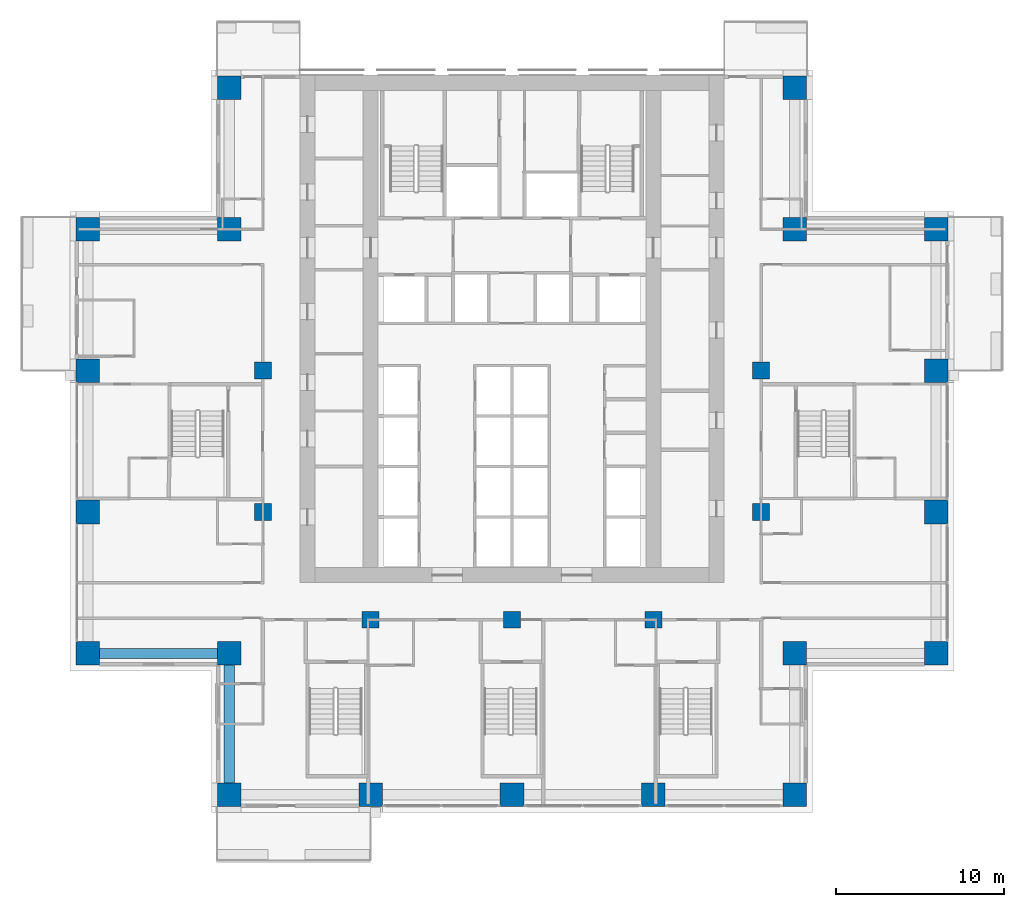
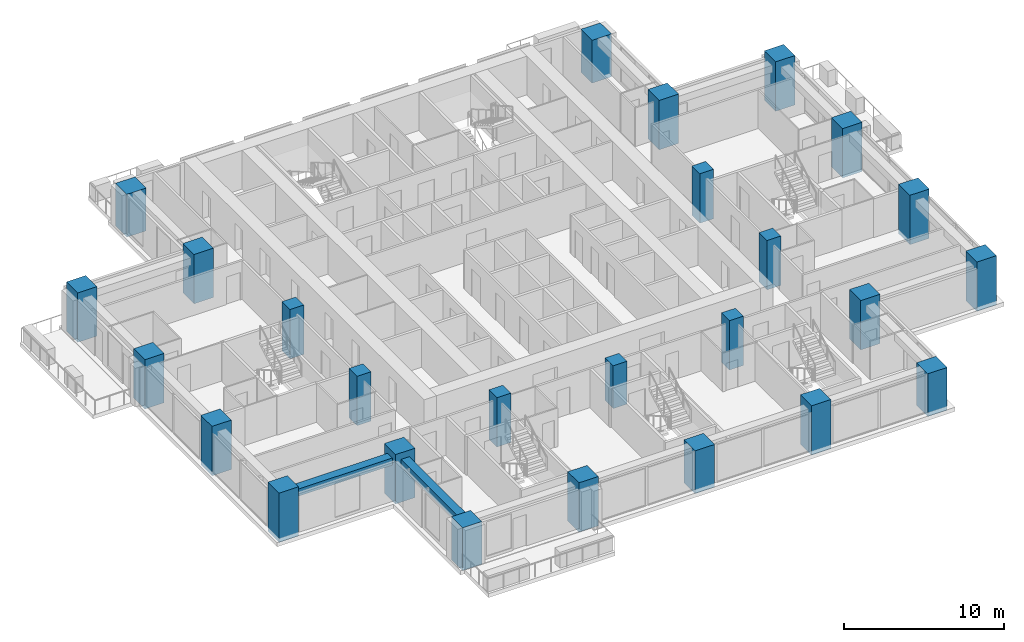
# One storey, part 1 of 16: 26 columns, 2 beams.
"""IFC4 building model written with IfcOpenShell, lengths in metres."""

from ifc_helpers import new_model, si_unit, direction, frame, origin, origin_2d, place, context, subcontext, project, spatial, rectangle, extrude, material, material_profile, profile_set, type_object, element, save


model = new_model("IFC4")

# Units and contexts
model_context = context("Model", 3, precision=1e-05, world=origin(), true_north=direction((0.0, 1.0)))
body_context = subcontext(model_context, "Body", "Model", "MODEL_VIEW")
ifc_project = project(units=[si_unit("LENGTHUNIT", "METRE"), si_unit("AREAUNIT", "SQUARE_METRE"), si_unit("VOLUMEUNIT", "CUBIC_METRE"), si_unit("PLANEANGLEUNIT", "RADIAN"), si_unit("MASSUNIT", "GRAM", prefix="KILO")], contexts=[model_context])

# Site, building, storey
site_placement = place(None, origin())
site = spatial("IfcSite", under=ifc_project, at=site_placement, CompositionType="ELEMENT")
building_placement = place(site_placement, origin())
building = spatial("IfcBuilding", under=site, at=building_placement, Name="Vermilion Ogive Tower", CompositionType="ELEMENT")
storey_placement = place(building_placement, frame((0.0, 0.0, 72.449951171875)))
storey = spatial("IfcBuildingStorey", under=building, at=storey_placement, Name="L17", CompositionType="ELEMENT", Elevation=72.449951171875)

# Columns
ifc_material_1 = material(Name="Concrete B80", Category="concrete")
ifc_material_profile_1 = material_profile(ifc_material_1, rectangle(XDim=1.39990234375, YDim=1.39990234375, at=origin_2d()), Name="1400 x 1400")
ifc_profile_set_1 = profile_set([ifc_material_profile_1], Name="Concrete B80")
column_type_1 = type_object("IfcColumnType", Name="Perimeter column 1400 x 1400 B80", PredefinedType="COLUMN", material=ifc_profile_set_1)
column_1_placement = place(storey_placement, frame((-16.800048828125, -21.0, -0.320068359375), z_axis=(0.0, 0.0, 1.0), x_axis=(1.0, 0.0, 0.0)))
element("IfcColumn", 1, at=column_1_placement, inside=storey, type_object=column_type_1, Name="COL-L17-P-0168-210", PredefinedType="COLUMN", context=body_context, shape_type="SweptSolid", body=[
    extrude(rectangle(XDim=1.39990234375, YDim=1.39990234375, at=origin_2d()), origin(), (0.0, 0.0, 1.0), 3.27001953125),
])
column_2_placement = place(storey_placement, frame((-8.39990234375, -21.0, -0.320068359375), z_axis=(0.0, 0.0, 1.0), x_axis=(1.0, 0.0, 0.0)))
element("IfcColumn", 2, at=column_2_placement, inside=storey, type_object=column_type_1, Name="COL-L17-P-0084-210", PredefinedType="COLUMN", context=body_context, shape_type="SweptSolid", body=[
    extrude(rectangle(XDim=1.39990234375, YDim=1.39990234375, at=origin_2d()), origin(), (0.0, 0.0, 1.0), 3.77001953125),
])
column_3_placement = place(storey_placement, frame((0.0, -21.0, -0.320068359375), z_axis=(0.0, 0.0, 1.0), x_axis=(1.0, 0.0, 0.0)))
element("IfcColumn", 3, at=column_3_placement, inside=storey, type_object=column_type_1, Name="COL-L17-P+0000-210", PredefinedType="COLUMN", context=body_context, shape_type="SweptSolid", body=[
    extrude(rectangle(XDim=1.39990234375, YDim=1.39990234375, at=origin_2d()), origin(), (0.0, 0.0, 1.0), 3.27001953125),
])
column_4_placement = place(storey_placement, frame((8.39990234375, -21.0, -0.320068359375), z_axis=(0.0, 0.0, 1.0), x_axis=(1.0, 0.0, 0.0)))
element("IfcColumn", 4, at=column_4_placement, inside=storey, type_object=column_type_1, Name="COL-L17-P+0084-210", PredefinedType="COLUMN", context=body_context, shape_type="SweptSolid", body=[
    extrude(rectangle(XDim=1.39990234375, YDim=1.39990234375, at=origin_2d()), origin(), (0.0, 0.0, 1.0), 3.77001953125),
])
column_5_placement = place(storey_placement, frame((16.800048828125, -21.0, -0.320068359375), z_axis=(0.0, 0.0, 1.0), x_axis=(1.0, 0.0, 0.0)))
element("IfcColumn", 5, at=column_5_placement, inside=storey, type_object=column_type_1, Name="COL-L17-P+0168-210", PredefinedType="COLUMN", context=body_context, shape_type="SweptSolid", body=[
    extrude(rectangle(XDim=1.39990234375, YDim=1.39990234375, at=origin_2d()), origin(), (0.0, 0.0, 1.0), 3.27001953125),
])
for number, where, z_axis, x_axis, name in (
    (6, (-25.199951171875, -12.60009765625, -0.320068359375), (0.0, 0.0, 1.0), (1.0, 0.0, 0.0), "COL-L17-P-0252-126"),
    (7, (-16.800048828125, -12.60009765625, -0.320068359375), (0.0, 0.0, 1.0), (1.0, 0.0, 0.0), "COL-L17-P-0168-126"),
    (8, (16.800048828125, -12.60009765625, -0.320068359375), (0.0, 0.0, 1.0), (1.0, 0.0, 0.0), "COL-L17-P+0168-126"),
    (9, (25.199951171875, -12.60009765625, -0.320068359375), (0.0, 0.0, 1.0), (1.0, 0.0, 0.0), "COL-L17-P+0252-126"),
    (10, (-25.199951171875, -4.199951171875, -0.320068359375), (0.0, 0.0, 1.0), (1.0, 0.0, 0.0), "COL-L17-P-0252-042"),
    (11, (25.199951171875, -4.199951171875, -0.320068359375), (0.0, 0.0, 1.0), (1.0, 0.0, 0.0), "COL-L17-P+0252-042"),
    (12, (-25.199951171875, 4.199951171875, -0.320068359375), (0.0, 0.0, 1.0), (1.0, 0.0, 0.0), "COL-L17-P-0252+042"),
    (13, (25.199951171875, 4.199951171875, -0.320068359375), (0.0, 0.0, 1.0), (1.0, 0.0, 0.0), "COL-L17-P+0252+042"),
    (14, (-25.199951171875, 12.60009765625, -0.320068359375), (0.0, 0.0, 1.0), (1.0, 0.0, 0.0), "COL-L17-P-0252+126"),
    (15, (-16.800048828125, 12.60009765625, -0.320068359375), (0.0, 0.0, 1.0), (1.0, 0.0, 0.0), "COL-L17-P-0168+126"),
    (16, (16.800048828125, 12.60009765625, -0.320068359375), (0.0, 0.0, 1.0), (1.0, 0.0, 0.0), "COL-L17-P+0168+126"),
    (17, (25.199951171875, 12.60009765625, -0.320068359375), (0.0, 0.0, 1.0), (1.0, 0.0, 0.0), "COL-L17-P+0252+126"),
):
    element("IfcColumn", number, at=place(storey_placement, frame(where, z_axis=z_axis, x_axis=x_axis)), inside=storey, type_object=column_type_1, Name=name, PredefinedType="COLUMN", context=body_context, shape_type="SweptSolid", body=[
        extrude(rectangle(XDim=1.39990234375, YDim=1.39990234375, at=origin_2d()), origin(), (0.0, 0.0, 1.0), 3.77001953125),
    ])
for number, where, z_axis, x_axis, name in (
    (18, (-16.800048828125, 21.0, -0.320068359375), (0.0, 0.0, 1.0), (1.0, 0.0, 0.0), "COL-L17-P-0168+210"),
    (19, (16.800048828125, 21.0, -0.320068359375), (0.0, 0.0, 1.0), (1.0, 0.0, 0.0), "COL-L17-P+0168+210"),
):
    element("IfcColumn", number, at=place(storey_placement, frame(where, z_axis=z_axis, x_axis=x_axis)), inside=storey, type_object=column_type_1, Name=name, PredefinedType="COLUMN", context=body_context, shape_type="SweptSolid", body=[
        extrude(rectangle(XDim=1.39990234375, YDim=1.39990234375, at=origin_2d()), origin(), (0.0, 0.0, 1.0), 3.27001953125),
    ])
ifc_material_2 = material(Name="Concrete B80", Category="concrete")
ifc_material_profile_2 = material_profile(ifc_material_2, rectangle(XDim=1.0, YDim=1.0, at=origin_2d()), Name="1000 x 1000")
ifc_profile_set_2 = profile_set([ifc_material_profile_2], Name="Concrete B80")
column_type_2 = type_object("IfcColumnType", Name="Ring column 1000 x 1000 B80", PredefinedType="COLUMN", material=ifc_profile_set_2)
column_6_placement = place(storey_placement, frame((-8.39990234375, -10.60009765625, -0.320068359375), z_axis=(0.0, 0.0, 1.0), x_axis=(1.0, 0.0, 0.0)))
element("IfcColumn", 20, at=column_6_placement, inside=storey, type_object=column_type_2, Name="COL-L17-R-0084-106", PredefinedType="COLUMN", context=body_context, shape_type="SweptSolid", body=[
    extrude(rectangle(XDim=1.0, YDim=1.0, at=origin_2d()), origin(), (0.0, 0.0, 1.0), 3.77001953125),
])
column_7_placement = place(storey_placement, frame((0.0, -10.60009765625, -0.320068359375), z_axis=(0.0, 0.0, 1.0), x_axis=(1.0, 0.0, 0.0)))
element("IfcColumn", 21, at=column_7_placement, inside=storey, type_object=column_type_2, Name="COL-L17-R+0000-106", PredefinedType="COLUMN", context=body_context, shape_type="SweptSolid", body=[
    extrude(rectangle(XDim=1.0, YDim=1.0, at=origin_2d()), origin(), (0.0, 0.0, 1.0), 3.27001953125),
])
for number, where, z_axis, x_axis, name in (
    (22, (8.39990234375, -10.60009765625, -0.320068359375), (0.0, 0.0, 1.0), (1.0, 0.0, 0.0), "COL-L17-R+0084-106"),
    (23, (-14.800048828125, -4.199951171875, -0.320068359375), (0.0, 0.0, 1.0), (1.0, 0.0, 0.0), "COL-L17-R-0148-042"),
    (24, (14.800048828125, -4.199951171875, -0.320068359375), (0.0, 0.0, 1.0), (1.0, 0.0, 0.0), "COL-L17-R+0148-042"),
    (25, (-14.800048828125, 4.199951171875, -0.320068359375), (0.0, 0.0, 1.0), (1.0, 0.0, 0.0), "COL-L17-R-0148+042"),
    (26, (14.800048828125, 4.199951171875, -0.320068359375), (0.0, 0.0, 1.0), (1.0, 0.0, 0.0), "COL-L17-R+0148+042"),
):
    element("IfcColumn", number, at=place(storey_placement, frame(where, z_axis=z_axis, x_axis=x_axis)), inside=storey, type_object=column_type_2, Name=name, PredefinedType="COLUMN", context=body_context, shape_type="SweptSolid", body=[
        extrude(rectangle(XDim=1.0, YDim=1.0, at=origin_2d()), origin(), (0.0, 0.0, 1.0), 3.77001953125),
    ])

# Beams
ifc_material_3 = material(Name="Concrete B45", Category="concrete")
ifc_material_profile_3 = material_profile(ifc_material_3, rectangle(XDim=0.60009765625, YDim=0.550048828125, at=origin_2d()), Name="600 x 550")
ifc_profile_set_3 = profile_set([ifc_material_profile_3], Name="Concrete B45")
beam_type = type_object("IfcBeamType", Name="Edge beam 600 x 550 B45", PredefinedType="BEAM", material=ifc_profile_set_3)
for number, where, z_axis, x_axis, name in (
    (27, (-24.5, -12.60009765625, 2.675048828125), (1.0, 0.0, 0.0), (0.0, 1.0, 0.0), "L17-EB-17"),
    (28, (-16.800048828125, -13.300048828125, 2.675048828125), (0.0, -1.0, 0.0), (1.0, 0.0, 0.0), "L17-EB-18"),
):
    element("IfcBeam", number, at=place(storey_placement, frame(where, z_axis=z_axis, x_axis=x_axis)), inside=storey, type_object=beam_type, Name=name, PredefinedType="BEAM", context=body_context, shape_type="SweptSolid", body=[
        extrude(rectangle(XDim=0.60009765625, YDim=0.550048828125, at=origin_2d()), origin(), (0.0, 0.0, 1.0), 7.0),
    ])

save(model, "model.ifc")
